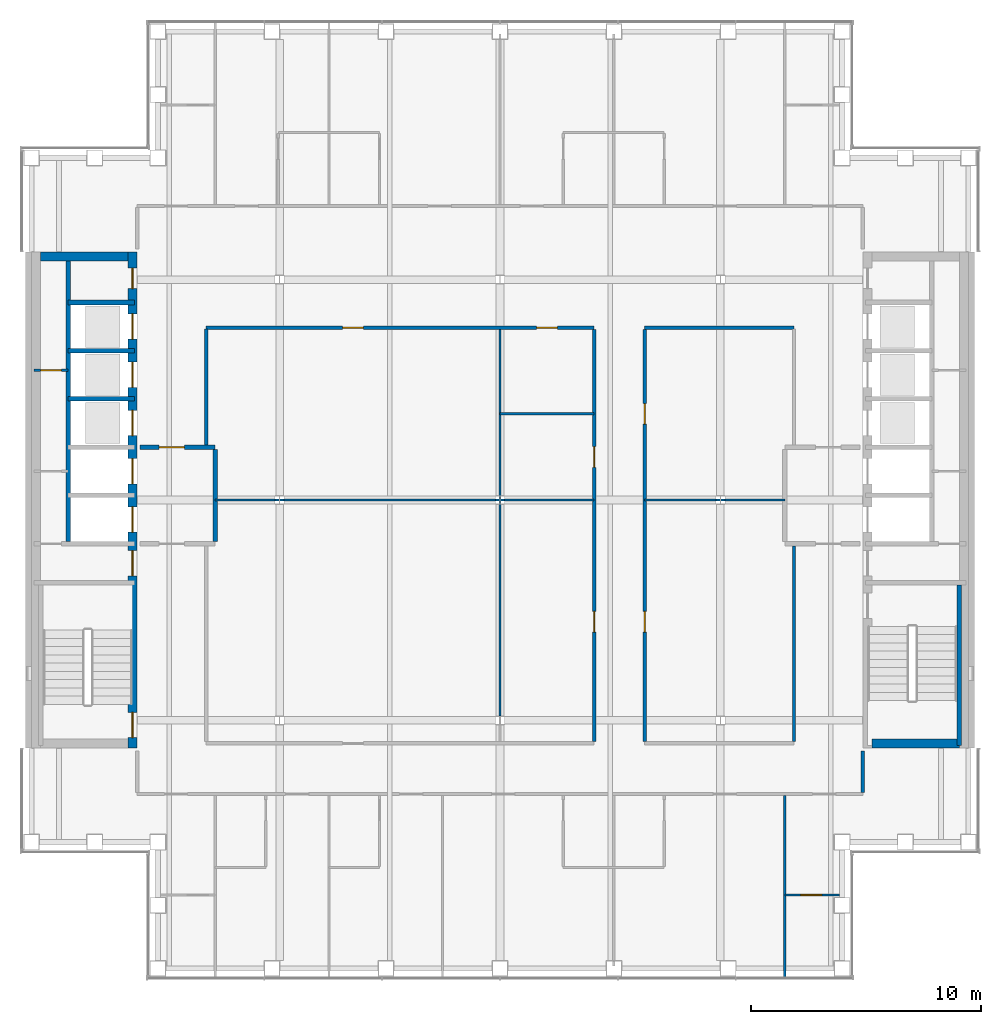
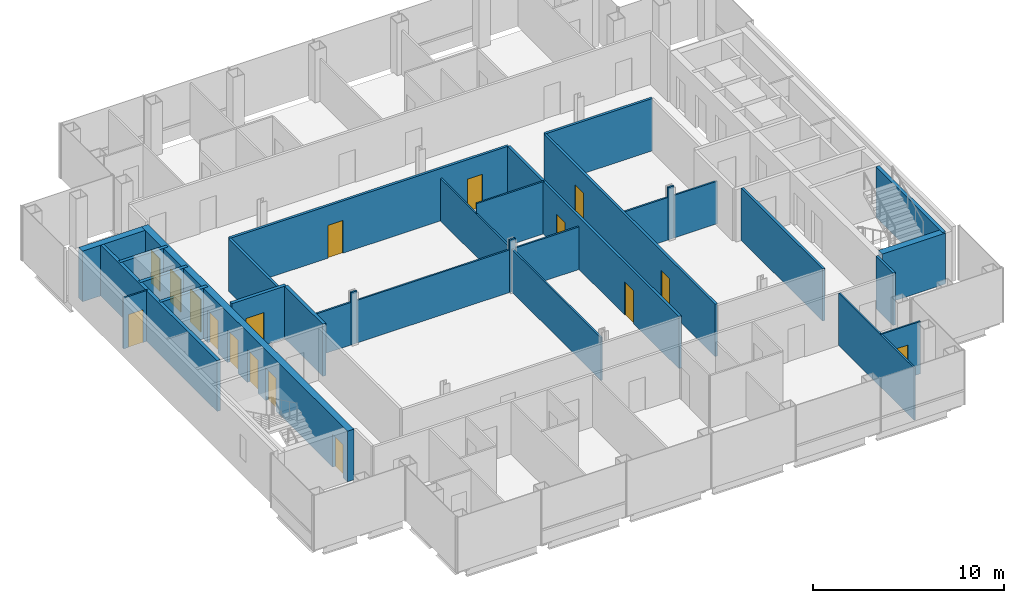
# One storey, part 11 of 15: 31 walls, 17 doors, 17 openings.
"""IFC4 building model written with IfcOpenShell, lengths in metres."""

from ifc_helpers import new_model, si_unit, direction, frame, frame_2d, origin, place, context, subcontext, project, spatial, rectangle, extrude, material, layer, layer_set, type_object, element, fill, save


model = new_model("IFC4")

# Units and contexts
model_context = context("Model", 3, precision=1e-05, world=origin(), true_north=direction((0.0, 1.0)))
body_context = subcontext(model_context, "Body", "Model", "MODEL_VIEW")
ifc_project = project(units=[si_unit("LENGTHUNIT", "METRE"), si_unit("AREAUNIT", "SQUARE_METRE"), si_unit("VOLUMEUNIT", "CUBIC_METRE"), si_unit("PLANEANGLEUNIT", "RADIAN"), si_unit("MASSUNIT", "GRAM", prefix="KILO")], contexts=[model_context])

# Site, building, storey
site_placement = place(None, origin())
site = spatial("IfcSite", under=ifc_project, at=site_placement, CompositionType="ELEMENT")
building_placement = place(site_placement, origin())
building = spatial("IfcBuilding", under=site, at=building_placement, Name="Cobrizo Arcos Hotel Tower", CompositionType="ELEMENT")
storey_placement = place(building_placement, frame((0.0, 0.0, 201.5)))
storey = spatial("IfcBuildingStorey", under=building, at=storey_placement, Name="L52", CompositionType="ELEMENT", Elevation=201.5)

# Wall, openings, doors
ifc_material_1 = material(Name="Gypsum board partition")
ifc_layer_1 = layer(ifc_material_1, 0.14990234375)
ifc_layer_set_1 = layer_set([ifc_layer_1], Name="Corridor wall EI 60 150")
wall_type_1 = type_object("IfcWallType", Name="Corridor wall EI 60 150", PredefinedType="PARTITIONING", material=ifc_layer_set_1)
wall_1_placement = place(storey_placement, frame((-12.800048828125, 7.5, 0.0), z_axis=(0.0, 0.0, 1.0), x_axis=(1.0, 0.0, 0.0)))
wall_1 = element("IfcWall", 1, at=wall_1_placement, inside=storey, type_object=wall_type_1, Name="Partition 038", PredefinedType="PARTITIONING", context=body_context, shape_type="SweptSolid", body=[
    extrude(rectangle(XDim=16.900146484375, YDim=0.14990234375, at=frame_2d((8.4501953125, 0.0))), origin(), (0.0, 0.0, 1.0), 3.35009765625),
])
opening_1_placement = place(wall_1_placement, frame((14.39990234375, 0.0, 0.0)))
opening_1 = element("IfcOpeningElement", 2, at=opening_1_placement, cuts=wall_1, Name="Opening ED-14", PredefinedType="OPENING", context=body_context, shape_type="SweptSolid", body=[
    extrude(rectangle(XDim=0.89990234375, YDim=2.10009765625, at=frame_2d((0.449951171875, 1.050048828125))), frame((0.0, 0.0869140625, 0.0), z_axis=(0.0, -1.0, 0.0), x_axis=(1.0, 0.0, 0.0)), (0.0, 0.0, 1.0), 0.173828125),
])
opening_2_placement = place(wall_1_placement, frame((5.949951171875, 0.0, 0.0)))
opening_2 = element("IfcOpeningElement", 3, at=opening_2_placement, cuts=wall_1, Name="Opening RD-12", PredefinedType="OPENING", context=body_context, shape_type="SweptSolid", body=[
    extrude(rectangle(XDim=0.89990234375, YDim=2.10009765625, at=frame_2d((0.449951171875, 1.050048828125))), frame((0.0, 0.0869140625, 0.0), z_axis=(0.0, -1.0, 0.0), x_axis=(1.0, 0.0, 0.0)), (0.0, 0.0, 1.0), 0.173828125),
])
ifc_material_2 = material(Name="Timber door leaf", Category="wood")
door_type_1 = type_object("IfcDoorType", Name="En-suite door 900x2100", OperationType="SINGLE_SWING_LEFT", PredefinedType="DOOR", material=ifc_material_2)
door_1_placement = place(opening_1_placement, origin())
door_1 = element("IfcDoor", 4, at=door_1_placement, inside=storey, type_object=door_type_1, Name="Door ED-14", OperationType="SINGLE_SWING_RIGHT", OverallHeight=2.10009765625, OverallWidth=0.89990234375, PredefinedType="DOOR", context=body_context, shape_type="SweptSolid", body=[
    extrude(rectangle(XDim=0.89990234375, YDim=2.10009765625, at=frame_2d((0.449951171875, 1.050048828125))), frame((0.0, 0.02490234375, 0.0), z_axis=(0.0, -1.0, 0.0), x_axis=(1.0, 0.0, 0.0)), (0.0, 0.0, 1.0), 0.050048828125),
])
fill(opening_1, door_1)
door_type_2 = type_object("IfcDoorType", Name="Room door FD30 900x2100", OperationType="SINGLE_SWING_LEFT", PredefinedType="DOOR", material=ifc_material_2)
door_2_placement = place(opening_2_placement, origin())
door_2 = element("IfcDoor", 5, at=door_2_placement, inside=storey, type_object=door_type_2, Name="Door RD-12", OperationType="SINGLE_SWING_RIGHT", OverallHeight=2.10009765625, OverallWidth=0.89990234375, PredefinedType="DOOR", context=body_context, shape_type="SweptSolid", body=[
    extrude(rectangle(XDim=0.89990234375, YDim=2.10009765625, at=frame_2d((0.449951171875, 1.050048828125))), frame((0.0, 0.02490234375, 0.0), z_axis=(0.0, -1.0, 0.0), x_axis=(1.0, 0.0, 0.0)), (0.0, 0.0, 1.0), 0.050048828125),
])
fill(opening_2, door_2)

# Walls
wall_2_placement = place(storey_placement, frame((6.300048828125, 7.5, 0.0), z_axis=(0.0, 0.0, 1.0), x_axis=(1.0, 0.0, 0.0)))
element("IfcWall", 6, at=wall_2_placement, inside=storey, type_object=wall_type_1, Name="Partition 039", PredefinedType="PARTITIONING", context=body_context, shape_type="SweptSolid", body=[
    extrude(rectangle(XDim=6.5, YDim=0.14990234375, at=frame_2d((3.25, 0.0))), origin(), (0.0, 0.0, 1.0), 3.35009765625),
])
wall_3_placement = place(storey_placement, frame((-12.800048828125, 2.39990234375, 0.0), z_axis=(0.0, 0.0, 1.0), x_axis=(0.0, 1.0, 0.0)))
element("IfcWall", 7, at=wall_3_placement, inside=storey, type_object=wall_type_1, Name="Partition 052", PredefinedType="PARTITIONING", context=body_context, shape_type="SweptSolid", body=[
    extrude(rectangle(XDim=5.050048828125, YDim=0.14990234375, at=frame_2d((2.52490234375, 0.0))), origin(), (0.0, 0.0, 1.0), 3.35009765625),
])

# Wall, openings, doors
wall_4_placement = place(storey_placement, frame((4.10009765625, -10.52490234375, 0.0), z_axis=(0.0, 0.0, 1.0), x_axis=(0.0, 1.0, 0.0)))
wall_4 = element("IfcWall", 8, at=wall_4_placement, inside=storey, type_object=wall_type_1, Name="Partition 071", PredefinedType="PARTITIONING", context=body_context, shape_type="SweptSolid", body=[
    extrude(rectangle(XDim=17.949951171875, YDim=0.14990234375, at=frame_2d((8.97509765625, 0.0))), origin(), (0.0, 0.0, 1.0), 3.35009765625),
])
opening_3_placement = place(wall_4_placement, frame((11.949951171875, 0.0, 0.0)))
opening_3 = element("IfcOpeningElement", 9, at=opening_3_placement, cuts=wall_4, Name="Opening ED-13", PredefinedType="OPENING", context=body_context, shape_type="SweptSolid", body=[
    extrude(rectangle(XDim=0.89990234375, YDim=2.10009765625, at=frame_2d((0.449951171875, 1.050048828125))), frame((0.0, 0.0869140625, 0.0), z_axis=(0.0, -1.0, 0.0), x_axis=(1.0, 0.0, 0.0)), (0.0, 0.0, 1.0), 0.173828125),
])
opening_4_placement = place(wall_4_placement, frame((4.77490234375, 0.0, 0.0)))
opening_4 = element("IfcOpeningElement", 10, at=opening_4_placement, cuts=wall_4, Name="Opening RD-09", PredefinedType="OPENING", context=body_context, shape_type="SweptSolid", body=[
    extrude(rectangle(XDim=0.89990234375, YDim=2.10009765625, at=frame_2d((0.449951171875, 1.050048828125))), frame((0.0, 0.0869140625, 0.0), z_axis=(0.0, -1.0, 0.0), x_axis=(1.0, 0.0, 0.0)), (0.0, 0.0, 1.0), 0.173828125),
])
door_3_placement = place(opening_3_placement, origin())
door_3 = element("IfcDoor", 11, at=door_3_placement, inside=storey, type_object=door_type_1, Name="Door ED-13", OperationType="SINGLE_SWING_RIGHT", OverallHeight=2.10009765625, OverallWidth=0.89990234375, PredefinedType="DOOR", context=body_context, shape_type="SweptSolid", body=[
    extrude(rectangle(XDim=0.89990234375, YDim=2.10009765625, at=frame_2d((0.449951171875, 1.050048828125))), frame((0.0, 0.02490234375, 0.0), z_axis=(0.0, -1.0, 0.0), x_axis=(1.0, 0.0, 0.0)), (0.0, 0.0, 1.0), 0.050048828125),
])
fill(opening_3, door_3)
door_4_placement = place(opening_4_placement, origin())
door_4 = element("IfcDoor", 12, at=door_4_placement, inside=storey, type_object=door_type_2, Name="Door RD-09", OperationType="SINGLE_SWING_RIGHT", OverallHeight=2.10009765625, OverallWidth=0.89990234375, PredefinedType="DOOR", context=body_context, shape_type="SweptSolid", body=[
    extrude(rectangle(XDim=0.89990234375, YDim=2.10009765625, at=frame_2d((0.449951171875, 1.050048828125))), frame((0.0, 0.02490234375, 0.0), z_axis=(0.0, -1.0, 0.0), x_axis=(1.0, 0.0, 0.0)), (0.0, 0.0, 1.0), 0.050048828125),
])
fill(opening_4, door_4)

wall_5_placement = place(storey_placement, frame((6.300048828125, -10.52490234375, 0.0), z_axis=(0.0, 0.0, 1.0), x_axis=(0.0, 1.0, 0.0)))
wall_5 = element("IfcWall", 13, at=wall_5_placement, inside=storey, type_object=wall_type_1, Name="Partition 076", PredefinedType="PARTITIONING", context=body_context, shape_type="SweptSolid", body=[
    extrude(rectangle(XDim=17.949951171875, YDim=0.14990234375, at=frame_2d((8.97509765625, 0.0))), origin(), (0.0, 0.0, 1.0), 3.35009765625),
])
opening_5_placement = place(wall_5_placement, frame((13.824951171875, 0.0, 0.0)))
opening_5 = element("IfcOpeningElement", 14, at=opening_5_placement, cuts=wall_5, Name="Opening RD-10", PredefinedType="OPENING", context=body_context, shape_type="SweptSolid", body=[
    extrude(rectangle(XDim=0.89990234375, YDim=2.10009765625, at=frame_2d((0.449951171875, 1.050048828125))), frame((0.0, 0.0869140625, 0.0), z_axis=(0.0, -1.0, 0.0), x_axis=(1.0, 0.0, 0.0)), (0.0, 0.0, 1.0), 0.173828125),
])
opening_6_placement = place(wall_5_placement, frame((4.77490234375, 0.0, 0.0)))
opening_6 = element("IfcOpeningElement", 15, at=opening_6_placement, cuts=wall_5, Name="Opening RD-11", PredefinedType="OPENING", context=body_context, shape_type="SweptSolid", body=[
    extrude(rectangle(XDim=0.89990234375, YDim=2.10009765625, at=frame_2d((0.449951171875, 1.050048828125))), frame((0.0, 0.0869140625, 0.0), z_axis=(0.0, -1.0, 0.0), x_axis=(1.0, 0.0, 0.0)), (0.0, 0.0, 1.0), 0.173828125),
])
door_5_placement = place(opening_5_placement, origin())
door_5 = element("IfcDoor", 16, at=door_5_placement, inside=storey, type_object=door_type_2, Name="Door RD-10", OperationType="SINGLE_SWING_RIGHT", OverallHeight=2.10009765625, OverallWidth=0.89990234375, PredefinedType="DOOR", context=body_context, shape_type="SweptSolid", body=[
    extrude(rectangle(XDim=0.89990234375, YDim=2.10009765625, at=frame_2d((0.449951171875, 1.050048828125))), frame((0.0, 0.02490234375, 0.0), z_axis=(0.0, -1.0, 0.0), x_axis=(1.0, 0.0, 0.0)), (0.0, 0.0, 1.0), 0.050048828125),
])
fill(opening_5, door_5)
door_6_placement = place(opening_6_placement, origin())
door_6 = element("IfcDoor", 17, at=door_6_placement, inside=storey, type_object=door_type_2, Name="Door RD-11", OperationType="SINGLE_SWING_LEFT", OverallHeight=2.10009765625, OverallWidth=0.89990234375, PredefinedType="DOOR", context=body_context, shape_type="SweptSolid", body=[
    extrude(rectangle(XDim=0.89990234375, YDim=2.10009765625, at=frame_2d((0.449951171875, 1.050048828125))), frame((0.0, 0.02490234375, 0.0), z_axis=(0.0, -1.0, 0.0), x_axis=(1.0, 0.0, 0.0)), (0.0, 0.0, 1.0), 0.050048828125),
])
fill(opening_6, door_6)

# Walls
wall_6_placement = place(storey_placement, frame((12.800048828125, -10.52490234375, 0.0), z_axis=(0.0, 0.0, 1.0), x_axis=(0.0, 1.0, 0.0)))
element("IfcWall", 18, at=wall_6_placement, inside=storey, type_object=wall_type_1, Name="Partition 082", PredefinedType="PARTITIONING", context=body_context, shape_type="SweptSolid", body=[
    extrude(rectangle(XDim=8.52490234375, YDim=0.14990234375, at=frame_2d((4.262451171875, 0.0))), origin(), (0.0, 0.0, 1.0), 3.35009765625),
])
wall_7_placement = place(storey_placement, frame((15.800048828125, -12.72509765625, 0.0), z_axis=(0.0, 0.0, 1.0), x_axis=(0.0, 1.0, 0.0)))
element("IfcWall", 19, at=wall_7_placement, inside=storey, type_object=wall_type_1, Name="Partition 084", PredefinedType="PARTITIONING", context=body_context, shape_type="SweptSolid", body=[
    extrude(rectangle(XDim=1.80517578125, YDim=0.14990234375, at=frame_2d((0.902587890625, 0.0))), origin(), (0.0, 0.0, 1.0), 3.35009765625),
])

# Wall, opening, door
ifc_layer_2 = layer(ifc_material_1, 0.10009765625)
ifc_layer_set_2 = layer_set([ifc_layer_2], Name="Partition EI 30 100")
wall_type_2 = type_object("IfcWallType", Name="Partition EI 30 100", PredefinedType="PARTITIONING", material=ifc_layer_set_2)
wall_8_placement = place(storey_placement, frame((12.39990234375, -17.199951171875, 0.0), z_axis=(0.0, 0.0, 1.0), x_axis=(1.0, 0.0, 0.0)))
wall_8 = element("IfcWall", 20, at=wall_8_placement, inside=storey, type_object=wall_type_2, Name="Partition 002", PredefinedType="PARTITIONING", context=body_context, shape_type="SweptSolid", body=[
    extrude(rectangle(XDim=2.380126953125, YDim=0.10009765625, at=frame_2d((1.18994140625, 0.0))), origin(), (0.0, 0.0, 1.0), 3.35009765625),
])
opening_7_placement = place(wall_8_placement, frame((0.705078125, 0.0, 0.0)))
opening_7 = element("IfcOpeningElement", 21, at=opening_7_placement, cuts=wall_8, Name="Opening ED-11", PredefinedType="OPENING", context=body_context, shape_type="SweptSolid", body=[
    extrude(rectangle(XDim=0.89990234375, YDim=2.10009765625, at=frame_2d((0.449951171875, 1.050048828125))), frame((0.0, 0.06201171875, 0.0), z_axis=(0.0, -1.0, 0.0), x_axis=(1.0, 0.0, 0.0)), (0.0, 0.0, 1.0), 0.1240234375),
])
door_7_placement = place(opening_7_placement, origin())
door_7 = element("IfcDoor", 22, at=door_7_placement, inside=storey, type_object=door_type_1, Name="Door ED-11", OperationType="SINGLE_SWING_LEFT", OverallHeight=2.10009765625, OverallWidth=0.89990234375, PredefinedType="DOOR", context=body_context, shape_type="SweptSolid", body=[
    extrude(rectangle(XDim=0.89990234375, YDim=2.10009765625, at=frame_2d((0.449951171875, 1.050048828125))), frame((0.0, 0.02490234375, 0.0), z_axis=(0.0, -1.0, 0.0), x_axis=(1.0, 0.0, 0.0)), (0.0, 0.0, 1.0), 0.050048828125),
])
fill(opening_7, door_7)

# Walls
wall_9_placement = place(storey_placement, frame((-12.39990234375, 0.0, 0.0), z_axis=(0.0, 0.0, 1.0), x_axis=(1.0, 0.0, 0.0)))
element("IfcWall", 23, at=wall_9_placement, inside=storey, type_object=wall_type_2, Name="Partition 015", PredefinedType="PARTITIONING", context=body_context, shape_type="SweptSolid", body=[
    extrude(rectangle(XDim=2.61279296875, YDim=0.10009765625, at=frame_2d((1.306396484375, 0.0))), origin(), (0.0, 0.0, 1.0), 2.72802734375),
])
wall_10_placement = place(storey_placement, frame((-9.787109375, 0.0, 0.0), z_axis=(0.0, 0.0, 1.0), x_axis=(1.0, 0.0, 0.0)))
element("IfcWall", 24, at=wall_10_placement, inside=storey, type_object=wall_type_2, Name="Partition 016", PredefinedType="PARTITIONING", context=body_context, shape_type="SweptSolid", body=[
    extrude(rectangle(XDim=0.3740234375, YDim=0.10009765625, at=frame_2d((0.18701171875, 0.0))), origin(), (0.0, 0.0, 1.0), 3.35009765625),
])
wall_11_placement = place(storey_placement, frame((-9.4130859375, 0.0, 0.0), z_axis=(0.0, 0.0, 1.0), x_axis=(1.0, 0.0, 0.0)))
element("IfcWall", 25, at=wall_11_placement, inside=storey, type_object=wall_type_2, Name="Partition 017", PredefinedType="PARTITIONING", context=body_context, shape_type="SweptSolid", body=[
    extrude(rectangle(XDim=9.22607421875, YDim=0.10009765625, at=frame_2d((4.613037109375, 0.0))), origin(), (0.0, 0.0, 1.0), 2.72802734375),
])
wall_12_placement = place(storey_placement, frame((-0.18701171875, 0.0, 0.0), z_axis=(0.0, 0.0, 1.0), x_axis=(1.0, 0.0, 0.0)))
element("IfcWall", 26, at=wall_12_placement, inside=storey, type_object=wall_type_2, Name="Partition 018", PredefinedType="PARTITIONING", context=body_context, shape_type="SweptSolid", body=[
    extrude(rectangle(XDim=0.3740234375, YDim=0.10009765625, at=frame_2d((0.18701171875, 0.0))), origin(), (0.0, 0.0, 1.0), 3.35009765625),
])
wall_13_placement = place(storey_placement, frame((0.18701171875, 0.0, 0.0), z_axis=(0.0, 0.0, 1.0), x_axis=(1.0, 0.0, 0.0)))
element("IfcWall", 27, at=wall_13_placement, inside=storey, type_object=wall_type_2, Name="Partition 019", PredefinedType="PARTITIONING", context=body_context, shape_type="SweptSolid", body=[
    extrude(rectangle(XDim=3.9130859375, YDim=0.10009765625, at=frame_2d((1.95654296875, 0.0))), origin(), (0.0, 0.0, 1.0), 2.72802734375),
])
wall_14_placement = place(storey_placement, frame((6.300048828125, 0.0, 0.0), z_axis=(0.0, 0.0, 1.0), x_axis=(1.0, 0.0, 0.0)))
element("IfcWall", 28, at=wall_14_placement, inside=storey, type_object=wall_type_2, Name="Partition 020", PredefinedType="PARTITIONING", context=body_context, shape_type="SweptSolid", body=[
    extrude(rectangle(XDim=3.113037109375, YDim=0.10009765625, at=frame_2d((1.556640625, 0.0))), origin(), (0.0, 0.0, 1.0), 2.72802734375),
])
wall_15_placement = place(storey_placement, frame((9.4130859375, 0.0, 0.0), z_axis=(0.0, 0.0, 1.0), x_axis=(1.0, 0.0, 0.0)))
element("IfcWall", 29, at=wall_15_placement, inside=storey, type_object=wall_type_2, Name="Partition 021", PredefinedType="PARTITIONING", context=body_context, shape_type="SweptSolid", body=[
    extrude(rectangle(XDim=0.3740234375, YDim=0.10009765625, at=frame_2d((0.18701171875, 0.0))), origin(), (0.0, 0.0, 1.0), 3.35009765625),
])
wall_16_placement = place(storey_placement, frame((9.787109375, 0.0, 0.0), z_axis=(0.0, 0.0, 1.0), x_axis=(1.0, 0.0, 0.0)))
element("IfcWall", 30, at=wall_16_placement, inside=storey, type_object=wall_type_2, Name="Partition 022", PredefinedType="PARTITIONING", context=body_context, shape_type="SweptSolid", body=[
    extrude(rectangle(XDim=2.61279296875, YDim=0.10009765625, at=frame_2d((1.306396484375, 0.0))), origin(), (0.0, 0.0, 1.0), 2.72802734375),
])
wall_17_placement = place(storey_placement, frame((0.0, 3.75, 0.0), z_axis=(0.0, 0.0, 1.0), x_axis=(1.0, 0.0, 0.0)))
element("IfcWall", 31, at=wall_17_placement, inside=storey, type_object=wall_type_2, Name="Partition 031", PredefinedType="PARTITIONING", context=body_context, shape_type="SweptSolid", body=[
    extrude(rectangle(XDim=4.10009765625, YDim=0.10009765625, at=frame_2d((2.050048828125, 0.0))), origin(), (0.0, 0.0, 1.0), 3.35009765625),
])

# Wall, opening, door
wall_18_placement = place(storey_placement, frame((-20.280029296875, 5.64990234375, 0.0), z_axis=(0.0, 0.0, 1.0), x_axis=(1.0, 0.0, 0.0)))
wall_18 = element("IfcWall", 32, at=wall_18_placement, inside=storey, type_object=wall_type_2, Name="Partition 034", PredefinedType="PARTITIONING", context=body_context, shape_type="SweptSolid", body=[
    extrude(rectangle(XDim=1.47998046875, YDim=0.10009765625, at=frame_2d((0.739990234375, 0.0))), origin(), (0.0, 0.0, 1.0), 3.25),
])
opening_8_placement = place(wall_18_placement, frame((0.280029296875, 0.0, 0.0)))
opening_8 = element("IfcOpeningElement", 33, at=opening_8_placement, cuts=wall_18, Name="Opening RD-04", PredefinedType="OPENING", context=body_context, shape_type="SweptSolid", body=[
    extrude(rectangle(XDim=0.89990234375, YDim=2.10009765625, at=frame_2d((0.449951171875, 1.050048828125))), frame((0.0, 0.06201171875, 0.0), z_axis=(0.0, -1.0, 0.0), x_axis=(1.0, 0.0, 0.0)), (0.0, 0.0, 1.0), 0.1240234375),
])
door_8_placement = place(opening_8_placement, origin())
door_8 = element("IfcDoor", 34, at=door_8_placement, inside=storey, type_object=door_type_2, Name="Door RD-04", OperationType="SINGLE_SWING_LEFT", OverallHeight=2.10009765625, OverallWidth=0.89990234375, PredefinedType="DOOR", context=body_context, shape_type="SweptSolid", body=[
    extrude(rectangle(XDim=0.89990234375, YDim=2.10009765625, at=frame_2d((0.449951171875, 1.050048828125))), frame((0.0, 0.02490234375, 0.0), z_axis=(0.0, -1.0, 0.0), x_axis=(1.0, 0.0, 0.0)), (0.0, 0.0, 1.0), 0.050048828125),
])
fill(opening_8, door_8)

# Walls
wall_19_placement = place(storey_placement, frame((0.0, -9.4130859375, 0.0), z_axis=(0.0, 0.0, 1.0), x_axis=(0.0, 1.0, 0.0)))
element("IfcWall", 35, at=wall_19_placement, inside=storey, type_object=wall_type_2, Name="Partition 066", PredefinedType="PARTITIONING", context=body_context, shape_type="SweptSolid", body=[
    extrude(rectangle(XDim=9.363037109375, YDim=0.10009765625, at=frame_2d((4.681640625, 0.0))), origin(), (0.0, 0.0, 1.0), 2.72802734375),
])
wall_20_placement = place(storey_placement, frame((0.0, 0.050048828125, 0.0), z_axis=(0.0, 0.0, 1.0), x_axis=(0.0, 1.0, 0.0)))
element("IfcWall", 36, at=wall_20_placement, inside=storey, type_object=wall_type_2, Name="Partition 067", PredefinedType="PARTITIONING", context=body_context, shape_type="SweptSolid", body=[
    extrude(rectangle(XDim=7.375, YDim=0.10009765625, at=frame_2d((3.6875, 0.0))), origin(), (0.0, 0.0, 1.0), 2.72802734375),
])
wall_21_placement = place(storey_placement, frame((12.39990234375, -20.780029296875, 0.0), z_axis=(0.0, 0.0, 1.0), x_axis=(0.0, 1.0, 0.0)))
element("IfcWall", 37, at=wall_21_placement, inside=storey, type_object=wall_type_2, Name="Partition 079", PredefinedType="PARTITIONING", context=body_context, shape_type="SweptSolid", body=[
    extrude(rectangle(XDim=7.905029296875, YDim=0.10009765625, at=frame_2d((3.95263671875, 0.0))), origin(), (0.0, 0.0, 1.0), 3.35009765625),
])
ifc_material_3 = material(Name="Concrete f'c 40 MPa", Category="concrete")
ifc_layer_3 = layer(ifc_material_3, 0.39990234375)
ifc_layer_set_3 = layer_set([ifc_layer_3], Name="RC core wall 400 f'c 40")
wall_type_3 = type_object("IfcWallType", Name="RC core wall 400 f'c 40", PredefinedType="SHEAR", material=ifc_layer_set_3)
wall_22_placement = place(storey_placement, frame((16.199951171875, -10.60009765625, 0.0), z_axis=(0.0, 0.0, 1.0), x_axis=(1.0, 0.0, 0.0)))
element("IfcWall", 38, at=wall_22_placement, inside=storey, type_object=wall_type_3, Name="Core wall CW4, east core, south end, L52", PredefinedType="SHEAR", context=body_context, shape_type="SweptSolid", body=[
    extrude(rectangle(XDim=3.800048828125, YDim=0.39990234375, at=frame_2d((1.89990234375, 0.0))), origin(), (0.0, 0.0, 1.0), 3.25),
])

# Wall, openings, doors
wall_23_placement = place(storey_placement, frame((-16.0, -10.800048828125, 0.0), z_axis=(0.0, 0.0, 1.0), x_axis=(0.0, 1.0, 0.0)))
wall_23 = element("IfcWall", 39, at=wall_23_placement, inside=storey, type_object=wall_type_3, Name="Core wall CW4, west core, inner face, L52", PredefinedType="SHEAR", context=body_context, shape_type="SweptSolid", body=[
    extrude(rectangle(XDim=21.60009765625, YDim=0.39990234375, at=frame_2d((10.800048828125, 0.0))), origin(), (0.0, 0.0, 1.0), 3.25),
])
opening_9_placement = place(wall_23_placement, frame((9.39990234375, 0.0, 0.0)))
opening_9 = element("IfcOpeningElement", 40, at=opening_9_placement, cuts=wall_23, Name="Opening LD-01", PredefinedType="OPENING", context=body_context, shape_type="SweptSolid", body=[
    extrude(rectangle(XDim=1.10009765625, YDim=2.10009765625, at=frame_2d((0.550048828125, 1.050048828125))), frame((0.0, 0.2119140625, 0.0), z_axis=(0.0, -1.0, 0.0), x_axis=(1.0, 0.0, 0.0)), (0.0, 0.0, 1.0), 0.423828125),
])
opening_10_placement = place(wall_23_placement, frame((11.5, 0.0, 0.0)))
opening_10 = element("IfcOpeningElement", 41, at=opening_10_placement, cuts=wall_23, Name="Opening LD-02", PredefinedType="OPENING", context=body_context, shape_type="SweptSolid", body=[
    extrude(rectangle(XDim=1.10009765625, YDim=2.10009765625, at=frame_2d((0.550048828125, 1.050048828125))), frame((0.0, 0.2119140625, 0.0), z_axis=(0.0, -1.0, 0.0), x_axis=(1.0, 0.0, 0.0)), (0.0, 0.0, 1.0), 0.423828125),
])
opening_11_placement = place(wall_23_placement, frame((13.60009765625, 0.0, 0.0)))
opening_11 = element("IfcOpeningElement", 42, at=opening_11_placement, cuts=wall_23, Name="Opening LD-03", PredefinedType="OPENING", context=body_context, shape_type="SweptSolid", body=[
    extrude(rectangle(XDim=1.10009765625, YDim=2.10009765625, at=frame_2d((0.550048828125, 1.050048828125))), frame((0.0, 0.2119140625, 0.0), z_axis=(0.0, -1.0, 0.0), x_axis=(1.0, 0.0, 0.0)), (0.0, 0.0, 1.0), 0.423828125),
])
opening_12_placement = place(wall_23_placement, frame((15.699951171875, 0.0, 0.0)))
opening_12 = element("IfcOpeningElement", 43, at=opening_12_placement, cuts=wall_23, Name="Opening LD-04", PredefinedType="OPENING", context=body_context, shape_type="SweptSolid", body=[
    extrude(rectangle(XDim=1.10009765625, YDim=2.10009765625, at=frame_2d((0.550048828125, 1.050048828125))), frame((0.0, 0.2119140625, 0.0), z_axis=(0.0, -1.0, 0.0), x_axis=(1.0, 0.0, 0.0)), (0.0, 0.0, 1.0), 0.423828125),
])
opening_13_placement = place(wall_23_placement, frame((17.800048828125, 0.0, 0.0)))
opening_13 = element("IfcOpeningElement", 44, at=opening_13_placement, cuts=wall_23, Name="Opening LD-05", PredefinedType="OPENING", context=body_context, shape_type="SweptSolid", body=[
    extrude(rectangle(XDim=1.10009765625, YDim=2.10009765625, at=frame_2d((0.550048828125, 1.050048828125))), frame((0.0, 0.2119140625, 0.0), z_axis=(0.0, -1.0, 0.0), x_axis=(1.0, 0.0, 0.0)), (0.0, 0.0, 1.0), 0.423828125),
])
opening_14_placement = place(wall_23_placement, frame((0.4580078125, 0.0, 0.0)))
opening_14 = element("IfcOpeningElement", 45, at=opening_14_placement, cuts=wall_23, Name="Opening SD-01", PredefinedType="OPENING", context=body_context, shape_type="SweptSolid", body=[
    extrude(rectangle(XDim=1.10009765625, YDim=2.10009765625, at=frame_2d((0.550048828125, 1.050048828125))), frame((0.0, 0.2119140625, 0.0), z_axis=(0.0, -1.0, 0.0), x_axis=(1.0, 0.0, 0.0)), (0.0, 0.0, 1.0), 0.423828125),
])
opening_15_placement = place(wall_23_placement, frame((7.5, 0.0, 0.0)))
opening_15 = element("IfcOpeningElement", 46, at=opening_15_placement, cuts=wall_23, Name="Opening FD-01", PredefinedType="OPENING", context=body_context, shape_type="SweptSolid", body=[
    extrude(rectangle(XDim=1.10009765625, YDim=2.10009765625, at=frame_2d((0.550048828125, 1.050048828125))), frame((0.0, 0.2119140625, 0.0), z_axis=(0.0, -1.0, 0.0), x_axis=(1.0, 0.0, 0.0)), (0.0, 0.0, 1.0), 0.423828125),
])
opening_16_placement = place(wall_23_placement, frame((20.0, 0.0, 0.0)))
opening_16 = element("IfcOpeningElement", 47, at=opening_16_placement, cuts=wall_23, Name="Opening RD-01", PredefinedType="OPENING", context=body_context, shape_type="SweptSolid", body=[
    extrude(rectangle(XDim=0.89990234375, YDim=2.10009765625, at=frame_2d((0.449951171875, 1.050048828125))), frame((0.0, 0.2119140625, 0.0), z_axis=(0.0, -1.0, 0.0), x_axis=(1.0, 0.0, 0.0)), (0.0, 0.0, 1.0), 0.423828125),
])
ifc_material_4 = material(Name="Steel door leaf", Category="steel")
door_type_3 = type_object("IfcDoorType", Name="Fire door FD60 1100x2100", OperationType="SINGLE_SWING_LEFT", PredefinedType="DOOR", material=ifc_material_4)
door_9_placement = place(opening_15_placement, origin())
door_9 = element("IfcDoor", 48, at=door_9_placement, inside=storey, type_object=door_type_3, Name="Door FD-01", OperationType="SINGLE_SWING_RIGHT", OverallHeight=2.10009765625, OverallWidth=1.10009765625, PredefinedType="DOOR", context=body_context, shape_type="SweptSolid", body=[
    extrude(rectangle(XDim=1.10009765625, YDim=2.10009765625, at=frame_2d((0.550048828125, 1.050048828125))), frame((0.0, 0.02490234375, 0.0), z_axis=(0.0, -1.0, 0.0), x_axis=(1.0, 0.0, 0.0)), (0.0, 0.0, 1.0), 0.050048828125),
])
fill(opening_15, door_9)
door_type_4 = type_object("IfcDoorType", Name="Lift landing door 1100x2100", OperationType="SLIDING_TO_LEFT", PredefinedType="DOOR", material=ifc_material_4)
door_10_placement = place(opening_9_placement, origin())
door_10 = element("IfcDoor", 49, at=door_10_placement, inside=storey, type_object=door_type_4, Name="Lift landing door LD-01", OperationType="SLIDING_TO_LEFT", OverallHeight=2.10009765625, OverallWidth=1.10009765625, PredefinedType="DOOR", context=body_context, shape_type="SweptSolid", body=[
    extrude(rectangle(XDim=1.10009765625, YDim=2.10009765625, at=frame_2d((0.550048828125, 1.050048828125))), frame((0.0, 0.02490234375, 0.0), z_axis=(0.0, -1.0, 0.0), x_axis=(1.0, 0.0, 0.0)), (0.0, 0.0, 1.0), 0.050048828125),
])
fill(opening_9, door_10)
door_11_placement = place(opening_10_placement, origin())
door_11 = element("IfcDoor", 50, at=door_11_placement, inside=storey, type_object=door_type_4, Name="Lift landing door LD-02", OperationType="SLIDING_TO_LEFT", OverallHeight=2.10009765625, OverallWidth=1.10009765625, PredefinedType="DOOR", context=body_context, shape_type="SweptSolid", body=[
    extrude(rectangle(XDim=1.10009765625, YDim=2.10009765625, at=frame_2d((0.550048828125, 1.050048828125))), frame((0.0, 0.02490234375, 0.0), z_axis=(0.0, -1.0, 0.0), x_axis=(1.0, 0.0, 0.0)), (0.0, 0.0, 1.0), 0.050048828125),
])
fill(opening_10, door_11)
door_12_placement = place(opening_11_placement, origin())
door_12 = element("IfcDoor", 51, at=door_12_placement, inside=storey, type_object=door_type_4, Name="Lift landing door LD-03", OperationType="SLIDING_TO_LEFT", OverallHeight=2.10009765625, OverallWidth=1.10009765625, PredefinedType="DOOR", context=body_context, shape_type="SweptSolid", body=[
    extrude(rectangle(XDim=1.10009765625, YDim=2.10009765625, at=frame_2d((0.550048828125, 1.050048828125))), frame((0.0, 0.02490234375, 0.0), z_axis=(0.0, -1.0, 0.0), x_axis=(1.0, 0.0, 0.0)), (0.0, 0.0, 1.0), 0.050048828125),
])
fill(opening_11, door_12)
door_13_placement = place(opening_12_placement, origin())
door_13 = element("IfcDoor", 52, at=door_13_placement, inside=storey, type_object=door_type_4, Name="Lift landing door LD-04", OperationType="SLIDING_TO_LEFT", OverallHeight=2.10009765625, OverallWidth=1.10009765625, PredefinedType="DOOR", context=body_context, shape_type="SweptSolid", body=[
    extrude(rectangle(XDim=1.10009765625, YDim=2.10009765625, at=frame_2d((0.550048828125, 1.050048828125))), frame((0.0, 0.02490234375, 0.0), z_axis=(0.0, -1.0, 0.0), x_axis=(1.0, 0.0, 0.0)), (0.0, 0.0, 1.0), 0.050048828125),
])
fill(opening_12, door_13)
door_14_placement = place(opening_13_placement, origin())
door_14 = element("IfcDoor", 53, at=door_14_placement, inside=storey, type_object=door_type_4, Name="Lift landing door LD-05", OperationType="SLIDING_TO_LEFT", OverallHeight=2.10009765625, OverallWidth=1.10009765625, PredefinedType="DOOR", context=body_context, shape_type="SweptSolid", body=[
    extrude(rectangle(XDim=1.10009765625, YDim=2.10009765625, at=frame_2d((0.550048828125, 1.050048828125))), frame((0.0, 0.02490234375, 0.0), z_axis=(0.0, -1.0, 0.0), x_axis=(1.0, 0.0, 0.0)), (0.0, 0.0, 1.0), 0.050048828125),
])
fill(opening_13, door_14)
door_15_placement = place(opening_16_placement, origin())
door_15 = element("IfcDoor", 54, at=door_15_placement, inside=storey, type_object=door_type_2, Name="Door RD-01", OperationType="SINGLE_SWING_RIGHT", OverallHeight=2.10009765625, OverallWidth=0.89990234375, PredefinedType="DOOR", context=body_context, shape_type="SweptSolid", body=[
    extrude(rectangle(XDim=0.89990234375, YDim=2.10009765625, at=frame_2d((0.449951171875, 1.050048828125))), frame((0.0, 0.02490234375, 0.0), z_axis=(0.0, -1.0, 0.0), x_axis=(1.0, 0.0, 0.0)), (0.0, 0.0, 1.0), 0.050048828125),
])
fill(opening_16, door_15)
door_type_5 = type_object("IfcDoorType", Name="Stair door FD60S 1100x2100", OperationType="SINGLE_SWING_LEFT", PredefinedType="DOOR", material=ifc_material_4)
door_16_placement = place(opening_14_placement, origin())
door_16 = element("IfcDoor", 55, at=door_16_placement, inside=storey, type_object=door_type_5, Name="Door SD-01", OperationType="SINGLE_SWING_RIGHT", OverallHeight=2.10009765625, OverallWidth=1.10009765625, PredefinedType="DOOR", context=body_context, shape_type="SweptSolid", body=[
    extrude(rectangle(XDim=1.10009765625, YDim=2.10009765625, at=frame_2d((0.550048828125, 1.050048828125))), frame((0.0, 0.02490234375, 0.0), z_axis=(0.0, -1.0, 0.0), x_axis=(1.0, 0.0, 0.0)), (0.0, 0.0, 1.0), 0.050048828125),
])
fill(opening_14, door_16)

# Wall
wall_24_placement = place(storey_placement, frame((-20.0, 10.60009765625, 0.0), z_axis=(0.0, 0.0, 1.0), x_axis=(1.0, 0.0, 0.0)))
element("IfcWall", 56, at=wall_24_placement, inside=storey, type_object=wall_type_3, Name="Core wall CW4, west core, north end, L52", PredefinedType="SHEAR", context=body_context, shape_type="SweptSolid", body=[
    extrude(rectangle(XDim=3.800048828125, YDim=0.39990234375, at=frame_2d((1.89990234375, 0.0))), origin(), (0.0, 0.0, 1.0), 3.25),
])

# Wall, opening, door
ifc_layer_4 = layer(ifc_material_1, 0.199951171875)
ifc_layer_set_4 = layer_set([ifc_layer_4], Name="Shaft wall EI 120 200")
wall_type_4 = type_object("IfcWallType", Name="Shaft wall EI 120 200", PredefinedType="PARTITIONING", material=ifc_layer_set_4)
wall_25_placement = place(storey_placement, frame((-15.679931640625, 2.300048828125, 0.0), z_axis=(0.0, 0.0, 1.0), x_axis=(1.0, 0.0, 0.0)))
wall_25 = element("IfcWall", 57, at=wall_25_placement, inside=storey, type_object=wall_type_4, Name="Partition 028", PredefinedType="PARTITIONING", context=body_context, shape_type="SweptSolid", body=[
    extrude(rectangle(XDim=3.280029296875, YDim=0.199951171875, at=frame_2d((1.64013671875, 0.0))), origin(), (0.0, 0.0, 1.0), 3.35009765625),
])
opening_17_placement = place(wall_25_placement, frame((0.840087890625, 0.0, 0.0)))
opening_17 = element("IfcOpeningElement", 58, at=opening_17_placement, cuts=wall_25, Name="Opening FD-02", PredefinedType="OPENING", context=body_context, shape_type="SweptSolid", body=[
    extrude(rectangle(XDim=1.10009765625, YDim=2.10009765625, at=frame_2d((0.550048828125, 1.050048828125))), frame((0.0, 0.112060546875, 0.0), z_axis=(0.0, -1.0, 0.0), x_axis=(1.0, 0.0, 0.0)), (0.0, 0.0, 1.0), 0.223876953125),
])
door_17_placement = place(opening_17_placement, origin())
door_17 = element("IfcDoor", 59, at=door_17_placement, inside=storey, type_object=door_type_3, Name="Door FD-02", OperationType="SINGLE_SWING_LEFT", OverallHeight=2.10009765625, OverallWidth=1.10009765625, PredefinedType="DOOR", context=body_context, shape_type="SweptSolid", body=[
    extrude(rectangle(XDim=1.10009765625, YDim=2.10009765625, at=frame_2d((0.550048828125, 1.050048828125))), frame((0.0, 0.02490234375, 0.0), z_axis=(0.0, -1.0, 0.0), x_axis=(1.0, 0.0, 0.0)), (0.0, 0.0, 1.0), 0.050048828125),
])
fill(opening_17, door_17)

# Walls
for number, where, z_axis, x_axis, name in (
    (60, (-18.800048828125, 4.39990234375, 0.0), (0.0, 0.0, 1.0), (1.0, 0.0, 0.0), "Partition 032"),
    (61, (-18.800048828125, 6.5, 0.0), (0.0, 0.0, 1.0), (1.0, 0.0, 0.0), "Partition 036"),
    (62, (-18.800048828125, 8.60009765625, 0.0), (0.0, 0.0, 1.0), (1.0, 0.0, 0.0), "Partition 040"),
):
    element("IfcWall", number, at=place(storey_placement, frame(where, z_axis=z_axis, x_axis=x_axis)), inside=storey, type_object=wall_type_4, Name=name, PredefinedType="PARTITIONING", context=body_context, shape_type="SweptSolid", body=[
        extrude(rectangle(XDim=2.880126953125, YDim=0.199951171875, at=frame_2d((1.43994140625, 0.0))), origin(), (0.0, 0.0, 1.0), 3.25),
    ])
wall_26_placement = place(storey_placement, frame((-18.800048828125, -1.800048828125, 0.0), z_axis=(0.0, 0.0, 1.0), x_axis=(0.0, 1.0, 0.0)))
element("IfcWall", 63, at=wall_26_placement, inside=storey, type_object=wall_type_4, Name="Partition 048", PredefinedType="PARTITIONING", context=body_context, shape_type="SweptSolid", body=[
    extrude(rectangle(XDim=12.47998046875, YDim=0.199951171875, at=frame_2d((6.239990234375, 0.0))), origin(), (0.0, 0.0, 1.0), 3.25),
])
wall_27_placement = place(storey_placement, frame((-12.39990234375, -1.800048828125, 0.0), z_axis=(0.0, 0.0, 1.0), x_axis=(0.0, 1.0, 0.0)))
element("IfcWall", 64, at=wall_27_placement, inside=storey, type_object=wall_type_4, Name="Partition 054", PredefinedType="PARTITIONING", context=body_context, shape_type="SweptSolid", body=[
    extrude(rectangle(XDim=4.0, YDim=0.199951171875, at=frame_2d((2.0, 0.0))), origin(), (0.0, 0.0, 1.0), 3.35009765625),
])
ifc_layer_5 = layer(ifc_material_3, 0.199951171875)
ifc_layer_set_5 = layer_set([ifc_layer_5], Name="Stair shaft wall 200")
wall_type_5 = type_object("IfcWallType", Name="Stair shaft wall 200", PredefinedType="SHEAR", material=ifc_layer_set_5)
wall_28_placement = place(storey_placement, frame((20.0, -10.679931640625, 0.0), z_axis=(0.0, 0.0, 1.0), x_axis=(0.0, 1.0, 0.0)))
element("IfcWall", 65, at=wall_28_placement, inside=storey, type_object=wall_type_5, Name="Stair shaft wall E", PredefinedType="SHEAR", context=body_context, shape_type="SweptSolid", body=[
    extrude(rectangle(XDim=6.97998046875, YDim=0.199951171875, at=frame_2d((3.489990234375, 0.0))), origin(), (0.0, 0.0, 1.0), 3.25),
])

save(model, "model.ifc")
